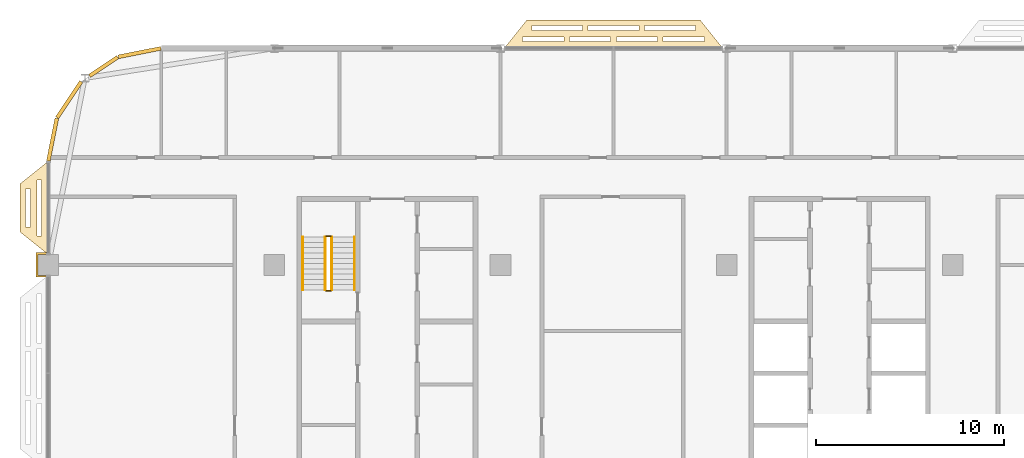
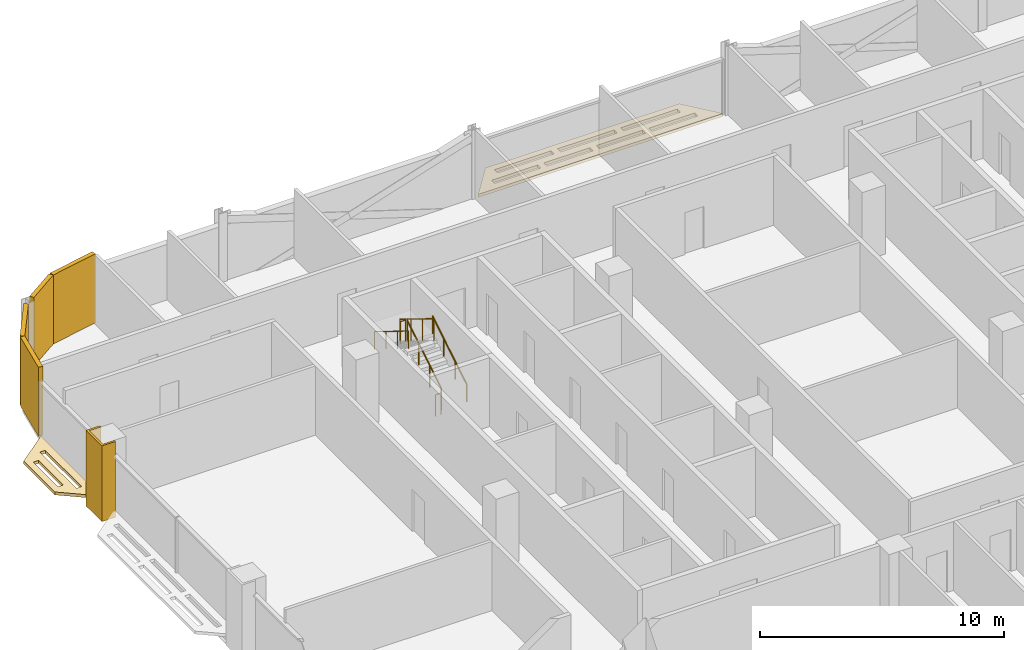
# One storey, part 27 of 30: 7 coverings, 6 railings.
"""IFC4 building model written with IfcOpenShell, lengths in metres."""

from ifc_helpers import new_model, si_unit, direction, frame, origin, origin_2d, place, context, subcontext, project, spatial, polyline, rectangle, circle, outline, extrude, material, layer, layer_set, type_object, element, save


model = new_model("IFC4")

# Units and contexts
model_context = context("Model", 3, precision=1e-05, world=origin(), true_north=direction((0.0, 1.0)))
body_context = subcontext(model_context, "Body", "Model", "MODEL_VIEW")
ifc_project = project(units=[si_unit("LENGTHUNIT", "METRE"), si_unit("AREAUNIT", "SQUARE_METRE"), si_unit("VOLUMEUNIT", "CUBIC_METRE"), si_unit("PLANEANGLEUNIT", "RADIAN"), si_unit("MASSUNIT", "GRAM", prefix="KILO")], contexts=[model_context])

# Site, building, storey
site_placement = place(None, origin())
site = spatial("IfcSite", under=ifc_project, at=site_placement, CompositionType="ELEMENT")
building_placement = place(site_placement, origin())
building = spatial("IfcBuilding", under=site, at=building_placement, Name="Mahtab Terrace Research Tower", CompositionType="ELEMENT")
storey_placement = place(building_placement, frame((0.0, 0.0, 212.89990234375)))
storey = spatial("IfcBuildingStorey", under=building, at=storey_placement, Name="L51", CompositionType="ELEMENT", Elevation=212.89990234375)

# Coverings
ifc_material_1 = material(Name="Black aluminium cladding panel", Category="aluminium")
ifc_layer_1 = layer(ifc_material_1, 0.199951171875)
ifc_layer_set_1 = layer_set([ifc_layer_1], Name="Black metal corner cladding 200")
covering_type_1 = type_object("IfcCoveringType", Name="Black metal corner cladding 200", PredefinedType="CLADDING", material=ifc_layer_set_1)
covering_1_placement = place(storey_placement, frame((-37.14794921875, 22.771484375, 0.0), z_axis=(0.0, 0.0, 1.0), x_axis=(-0.980760981187, -0.195212442692, 0.0)))
element("IfcCovering", 1, at=covering_1_placement, inside=storey, type_object=covering_type_1, Name="Corner cladding L51 11", PredefinedType="CLADDING", context=body_context, shape_type="SweptSolid", body=[
    extrude(rectangle(XDim=2.30126953125, YDim=0.199951171875, at=origin_2d()), origin(), (0.0, 0.0, 1.0), 3.4599609375),
])
covering_2_placement = place(storey_placement, frame((-39.059814453125, 22.032958984375, 0.0), z_axis=(0.0, 0.0, 1.0), x_axis=(-0.831655794326, -0.555291490808, 0.0)))
element("IfcCovering", 2, at=covering_2_placement, inside=storey, type_object=covering_type_1, Name="Corner cladding L51 12", PredefinedType="CLADDING", context=body_context, shape_type="SweptSolid", body=[
    extrude(rectangle(XDim=1.797119140625, YDim=0.199951171875, at=origin_2d()), origin(), (0.0, 0.0, 1.0), 3.4599609375),
])
for number, where, z_axis, x_axis, name in (
    (3, (-40.89306640625, 20.26953125, 0.0), (0.0, 0.0, 1.0), (-0.555291490808, -0.831655794326, 0.0), "Corner cladding L51 13"),
    (4, (-41.771484375, 18.14794921875, 0.0), (0.0, 0.0, 1.0), (-0.195212442692, -0.980760981187, 0.0), "Corner cladding L51 14"),
):
    element("IfcCovering", number, at=place(storey_placement, frame(where, z_axis=z_axis, x_axis=x_axis)), inside=storey, type_object=covering_type_1, Name=name, PredefinedType="CLADDING", context=body_context, shape_type="SweptSolid", body=[
        extrude(rectangle(XDim=2.30126953125, YDim=0.199951171875, at=origin_2d()), origin(), (0.0, 0.0, 1.0), 3.4599609375),
    ])
ifc_material_2 = material(Name="Dark anodised aluminium cladding", Category="aluminium")
ifc_layer_2 = layer(ifc_material_2, 0.10009765625)
ifc_layer_set_2 = layer_set([ifc_layer_2], Name="Column casing 100")
covering_type_2 = type_object("IfcCoveringType", Name="Column casing 100", PredefinedType="CLADDING", material=ifc_layer_set_2)
covering_3_placement = place(storey_placement, frame((0.0, 0.0, -0.33984375)))
element("IfcCovering", 5, at=covering_3_placement, inside=storey, type_object=covering_type_2, Name="Column casing RC-1C L51", PredefinedType="CLADDING", context=body_context, shape_type="SweptSolid", body=[
    extrude(outline(polyline([(-42.64990234375, 12.14990234375), (-42.0, 12.14990234375), (-42.0, 12.050048828125), (-42.550048828125, 12.050048828125), (-42.550048828125, 10.949951171875), (-42.0, 10.949951171875), (-42.0, 10.85009765625), (-42.64990234375, 10.85009765625), (-42.64990234375, 12.14990234375)])), origin(), (0.0, 0.0, 1.0), 3.800048828125),
])
ifc_material_3 = material(Name="Black anodised aluminium", Category="aluminium")
ifc_layer_3 = layer(ifc_material_3, 0.14990234375)
ifc_layer_set_3 = layer_set([ifc_layer_3], Name="Horizontal sunshade band")
covering_type_3 = type_object("IfcCoveringType", Name="Horizontal sunshade band", PredefinedType="CLADDING", material=ifc_layer_set_3)
covering_4_placement = place(storey_placement, frame((0.0, 0.0, -0.14990234375)))
element("IfcCovering", 6, at=covering_4_placement, inside=storey, type_object=covering_type_3, Name="Sunshade band L51 8", PredefinedType="CLADDING", context=body_context, shape_type="SweptSolid", body=[
    extrude(outline(polyline([(-6.199951171875, 23.0), (-17.800048828125, 23.0), (-16.60009765625, 24.5), (-7.39990234375, 24.5), (-6.199951171875, 23.0)]), holes=[polyline([(-7.179931640625, 23.35009765625), (-9.364990234375, 23.35009765625), (-9.364990234375, 23.60009765625), (-7.179931640625, 23.60009765625), (-7.179931640625, 23.35009765625)]), polyline([(-9.6650390625, 23.35009765625), (-11.85009765625, 23.35009765625), (-11.85009765625, 23.60009765625), (-9.6650390625, 23.60009765625), (-9.6650390625, 23.35009765625)]), polyline([(-12.14990234375, 23.35009765625), (-14.3349609375, 23.35009765625), (-14.3349609375, 23.60009765625), (-12.14990234375, 23.60009765625), (-12.14990234375, 23.35009765625)]), polyline([(-14.635009765625, 23.35009765625), (-16.820068359375, 23.35009765625), (-16.820068359375, 23.60009765625), (-14.635009765625, 23.60009765625), (-14.635009765625, 23.35009765625)]), polyline([(-7.659912109375, 23.949951171875), (-10.35302734375, 23.949951171875), (-10.35302734375, 24.199951171875), (-7.659912109375, 24.199951171875), (-7.659912109375, 23.949951171875)]), polyline([(-10.653076171875, 23.949951171875), (-13.346923828125, 23.949951171875), (-13.346923828125, 24.199951171875), (-10.653076171875, 24.199951171875), (-10.653076171875, 23.949951171875)]), polyline([(-13.64697265625, 23.949951171875), (-16.340087890625, 23.949951171875), (-16.340087890625, 24.199951171875), (-13.64697265625, 24.199951171875), (-13.64697265625, 23.949951171875)])]), origin(), (0.0, 0.0, 1.0), 0.14990234375),
])
covering_5_placement = place(storey_placement, frame((0.0, 0.0, -0.14990234375)))
element("IfcCovering", 7, at=covering_5_placement, inside=storey, type_object=covering_type_3, Name="Sunshade band L51 15", PredefinedType="CLADDING", context=body_context, shape_type="SweptSolid", body=[
    extrude(outline(polyline([(-42.0, 17.0), (-42.0, 12.050048828125), (-43.5, 13.25), (-43.5, 15.800048828125), (-42.0, 17.0)]), holes=[polyline([(-42.35009765625, 16.02001953125), (-42.35009765625, 13.030029296875), (-42.60009765625, 13.030029296875), (-42.60009765625, 16.02001953125), (-42.35009765625, 16.02001953125)]), polyline([(-42.949951171875, 15.5400390625), (-42.949951171875, 13.510009765625), (-43.199951171875, 13.510009765625), (-43.199951171875, 15.5400390625), (-42.949951171875, 15.5400390625)])]), origin(), (0.0, 0.0, 1.0), 0.14990234375),
])

# Railings
ifc_material_4 = material(Name="Stainless steel AISI 304", Category="steel")
railing_type_1 = type_object("IfcRailingType", Name="Stair guard 1100", PredefinedType="GUARDRAIL", material=ifc_material_4)
railing_1_placement = place(storey_placement, frame((-26.949951171875, 10.175048828125, 0.1728515625)))
element("IfcRailing", 8, at=railing_1_placement, inside=storey, type_object=railing_type_1, Name="L51 ST1 stair guard 1", PredefinedType="GUARDRAIL", context=body_context, shape_type="SweptSolid", body=[
    extrude(circle(Radius=0.02392578125, at=origin_2d()), frame((0.0, 0.0, 1.076171875), z_axis=(0.0, 0.851089632645, 0.525020415988), x_axis=(-1.0, 0.0, 0.0)), (0.0, 0.0, 1.0), 3.2900390625),
    extrude(circle(Radius=0.02099609375, at=origin_2d()), origin(), (0.0, 0.0, 1.0), 1.052001953125),
    extrude(circle(Radius=0.02099609375, at=origin_2d()), frame((0.0, 0.933349609375, 0.57568359375)), (0.0, 0.0, 1.0), 1.052001953125),
    extrude(circle(Radius=0.02099609375, at=origin_2d()), frame((0.0, 1.86669921875, 1.151611328125)), (0.0, 0.0, 1.0), 1.052001953125),
    extrude(circle(Radius=0.02099609375, at=origin_2d()), frame((0.0, 2.800048828125, 1.727294921875)), (0.0, 0.0, 1.0), 1.052001953125),
])
railing_2_placement = place(storey_placement, frame((-27.0, 13.02490234375, 1.900146484375)))
element("IfcRailing", 9, at=railing_2_placement, inside=storey, type_object=railing_type_1, Name="L51 ST1 stair guard 2", PredefinedType="GUARDRAIL", context=body_context, shape_type="SweptSolid", body=[
    extrude(circle(Radius=0.02392578125, at=origin_2d()), frame((0.0, 0.0, 1.076171875), z_axis=(-1.0, 0.0, 0.0), x_axis=(0.0, -1.0, 0.0)), (0.0, 0.0, 1.0), 0.25),
    extrude(circle(Radius=0.02099609375, at=origin_2d()), origin(), (0.0, 0.0, 1.0), 1.052001953125),
    extrude(circle(Radius=0.02099609375, at=origin_2d()), frame((-0.25, 0.0, 0.0)), (0.0, 0.0, 1.0), 1.052001953125),
])
railing_3_placement = place(storey_placement, frame((-27.300048828125, 12.97509765625, 2.07275390625)))
element("IfcRailing", 10, at=railing_3_placement, inside=storey, type_object=railing_type_1, Name="L51 ST1 stair guard 3", PredefinedType="GUARDRAIL", context=body_context, shape_type="SweptSolid", body=[
    extrude(circle(Radius=0.02392578125, at=origin_2d()), frame((0.0, 0.0, 1.076171875), z_axis=(0.0, -0.851089632645, 0.525020415988), x_axis=(1.0, 0.0, 0.0)), (0.0, 0.0, 1.0), 3.2900390625),
    extrude(circle(Radius=0.02099609375, at=origin_2d()), origin(), (0.0, 0.0, 1.0), 1.052001953125),
    extrude(circle(Radius=0.02099609375, at=origin_2d()), frame((0.0, -0.933349609375, 0.57568359375)), (0.0, 0.0, 1.0), 1.052001953125),
    extrude(circle(Radius=0.02099609375, at=origin_2d()), frame((0.0, -1.86669921875, 1.151611328125)), (0.0, 0.0, 1.0), 1.052001953125),
    extrude(circle(Radius=0.02099609375, at=origin_2d()), frame((0.0, -2.800048828125, 1.727294921875)), (0.0, 0.0, 1.0), 1.052001953125),
])
railing_4_placement = place(storey_placement, frame((-27.0, 10.125, 0.0)))
element("IfcRailing", 11, at=railing_4_placement, inside=storey, type_object=railing_type_1, Name="L51 ST1 stair guard 4", PredefinedType="GUARDRAIL", context=body_context, shape_type="SweptSolid", body=[
    extrude(circle(Radius=0.02392578125, at=origin_2d()), frame((0.0, 0.0, 1.076171875), z_axis=(-1.0, 0.0, 0.0), x_axis=(0.0, -1.0, 0.0)), (0.0, 0.0, 1.0), 0.25),
    extrude(circle(Radius=0.02099609375, at=origin_2d()), origin(), (0.0, 0.0, 1.0), 1.052001953125),
    extrude(circle(Radius=0.02099609375, at=origin_2d()), frame((-0.25, 0.0, 0.0)), (0.0, 0.0, 1.0), 1.052001953125),
])
railing_type_2 = type_object("IfcRailingType", Name="Stair handrail 900", PredefinedType="HANDRAIL", material=ifc_material_4)
railing_5_placement = place(storey_placement, frame((-25.75, 10.175048828125, 0.1728515625)))
element("IfcRailing", 12, at=railing_5_placement, inside=storey, type_object=railing_type_2, Name="L51 ST1 stair handrail 1", PredefinedType="HANDRAIL", context=body_context, shape_type="SweptSolid", body=[
    extrude(circle(Radius=0.02392578125, at=origin_2d()), frame((0.0, 0.0, 0.8759765625), z_axis=(0.0, 0.851089632645, 0.525020415988), x_axis=(-1.0, 0.0, 0.0)), (0.0, 0.0, 1.0), 3.2900390625),
    extrude(circle(Radius=0.02099609375, at=origin_2d()), origin(), (0.0, 0.0, 1.0), 0.851806640625),
    extrude(circle(Radius=0.02099609375, at=origin_2d()), frame((0.0, 0.933349609375, 0.57568359375)), (0.0, 0.0, 1.0), 0.851806640625),
    extrude(circle(Radius=0.02099609375, at=origin_2d()), frame((0.0, 1.86669921875, 1.151611328125)), (0.0, 0.0, 1.0), 0.851806640625),
    extrude(circle(Radius=0.02099609375, at=origin_2d()), frame((0.0, 2.800048828125, 1.727294921875)), (0.0, 0.0, 1.0), 0.851806640625),
])
railing_6_placement = place(storey_placement, frame((-28.5, 12.97509765625, 2.07275390625)))
element("IfcRailing", 13, at=railing_6_placement, inside=storey, type_object=railing_type_2, Name="L51 ST1 stair handrail 2", PredefinedType="HANDRAIL", context=body_context, shape_type="SweptSolid", body=[
    extrude(circle(Radius=0.02392578125, at=origin_2d()), frame((0.0, 0.0, 0.8759765625), z_axis=(0.0, -0.851089632645, 0.525020415988), x_axis=(1.0, 0.0, 0.0)), (0.0, 0.0, 1.0), 3.2900390625),
    extrude(circle(Radius=0.02099609375, at=origin_2d()), origin(), (0.0, 0.0, 1.0), 0.851806640625),
    extrude(circle(Radius=0.02099609375, at=origin_2d()), frame((0.0, -0.933349609375, 0.57568359375)), (0.0, 0.0, 1.0), 0.851806640625),
    extrude(circle(Radius=0.02099609375, at=origin_2d()), frame((0.0, -1.86669921875, 1.151611328125)), (0.0, 0.0, 1.0), 0.851806640625),
    extrude(circle(Radius=0.02099609375, at=origin_2d()), frame((0.0, -2.800048828125, 1.727294921875)), (0.0, 0.0, 1.0), 0.851806640625),
])

save(model, "model.ifc")
